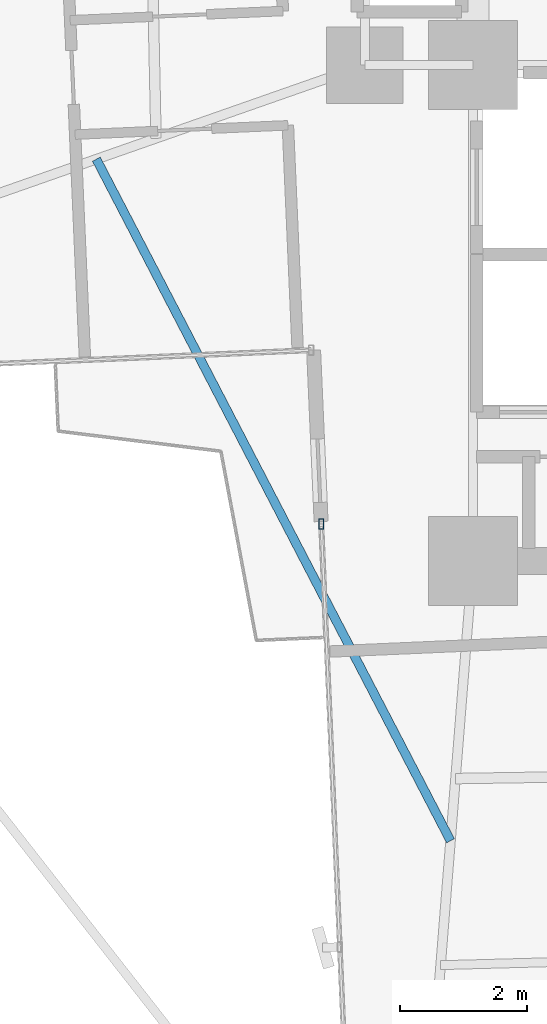
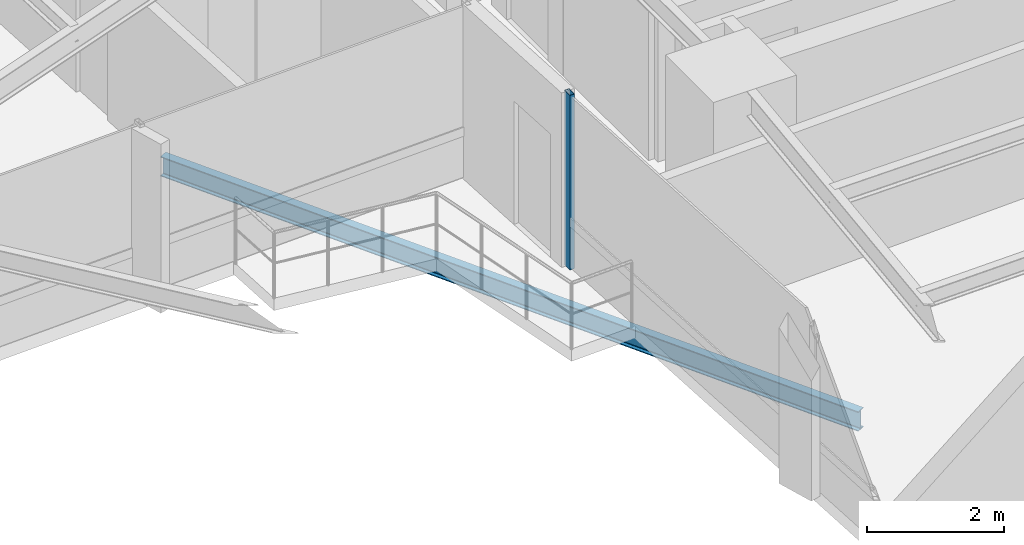
# One storey, part 5 of 26: 1 beam, 1 member, 1 element without a shape of its own.
"""IFC4 building model written with IfcOpenShell, lengths in metres."""

from ifc_helpers import new_model, si_unit, direction, frame, origin, origin_2d, place, context, subcontext, project, spatial, hollow_rectangle, i_section, extrude, source, transform, mapped, material, material_profile, profile_set, type_object, element, aggregate, save


model = new_model("IFC4")

# Units and contexts
model_context = context("Model", 3, precision=1e-05, world=origin(), true_north=direction((0.0, 1.0)))
body_context = subcontext(model_context, "Body", "Model", "MODEL_VIEW")
ifc_project = project(units=[si_unit("LENGTHUNIT", "METRE"), si_unit("AREAUNIT", "SQUARE_METRE"), si_unit("VOLUMEUNIT", "CUBIC_METRE"), si_unit("PLANEANGLEUNIT", "RADIAN"), si_unit("MASSUNIT", "GRAM", prefix="KILO")], contexts=[model_context])

# Site, building, storey
site_placement = place(None, origin())
site = spatial("IfcSite", under=ifc_project, at=site_placement, CompositionType="ELEMENT")
building_placement = place(site_placement, origin())
building = spatial("IfcBuilding", under=site, at=building_placement, Name="Sahyath Konkavel Grand Hotel", CompositionType="ELEMENT")
storey_placement = place(building_placement, frame((0.0, 0.0, 96.89990234375)))
storey = spatial("IfcBuildingStorey", under=building, at=storey_placement, Name="L26", CompositionType="ELEMENT", Elevation=96.89990234375)

# Curtain wall, member
ifc_material_1 = material(Name="Anodised Bronze Aluminium & Low-E Glazing", Category="aluminium")
curtain_wall_type = type_object("IfcCurtainWallType", Name="CW-ZONE2", PredefinedType="NOTDEFINED", material=ifc_material_1)
curtain_wall_placement = place(storey_placement, origin())
curtain_wall = element("IfcCurtainWall", 1, at=curtain_wall_placement, inside=storey, type_object=curtain_wall_type, Name="L26 Unitised Curtain Wall F24", PredefinedType="NOTDEFINED")
ifc_material_2 = material(Name="Anodised Bronze Aluminium", Category="aluminium")
ifc_material_profile_1 = material_profile(ifc_material_2, hollow_rectangle(XDim=0.080078125, YDim=0.159912109375, WallThickness=0.006103515625, at=origin_2d()), Name="RHS 160x80x6")
ifc_profile_set_1 = profile_set([ifc_material_profile_1], Name="Anodised Bronze Aluminium")
member_type = type_object("IfcMemberType", Name="CW-MUL-160", PredefinedType="MULLION", material=ifc_profile_set_1)
shared_shape_1 = source(origin(), body_context, "Body", "SweptSolid", [
    extrude(hollow_rectangle(XDim=0.080078125, YDim=0.159912109375, WallThickness=0.006103515625, at=origin_2d()), origin(), (0.0, 0.0, 1.0), 3.110107421875),
])
member_placement = place(storey_placement, frame((-6.186279296875, -9.618896484375, 0.0), z_axis=(0.0, 0.0, 1.0), x_axis=(1.0, 0.0, 0.0)))
member = element("IfcMember", 2, at=member_placement, type_object=member_type, Name="L26 Curtain Wall Mullion F24-0", PredefinedType="MULLION", context=body_context, shape_type="MappedRepresentation", body=[
    mapped(shared_shape_1, transform((0.0, 0.0, 0.0), scale=1.0)),
])
aggregate(curtain_wall, [member])

# Beam
ifc_material_3 = material(Name="Steel E350", Category="steel")
ifc_material_profile_2 = material_profile(ifc_material_3, i_section(OverallWidth=0.139892578125, OverallDepth=0.35009765625, WebThickness=0.008056640625, FlangeThickness=0.01416015625, FilletRadius=0.013916015625, at=origin_2d()), Name="ISMB 350")
ifc_profile_set_2 = profile_set([ifc_material_profile_2], Name="Steel E350")
beam_type = type_object("IfcBeamType", Name="BM-BALC-CANT", PredefinedType="BEAM", material=ifc_profile_set_2)
shared_shape_2 = source(origin(), body_context, "Body", "SweptSolid", [
    extrude(i_section(OverallWidth=0.139892578125, OverallDepth=0.35009765625, WebThickness=0.008056640625, FlangeThickness=0.01416015625, FilletRadius=0.013916015625, at=origin_2d()), origin(), (0.0, 0.0, 1.0), 12.085205078125),
])
beam_placement = place(storey_placement, frame((-9.7236328125, -3.87890625, -0.414794921875), z_axis=(0.461082384626, -0.887357331962, 0.0), x_axis=(0.887357331962, 0.461082384626, 0.0)))
element("IfcBeam", 3, at=beam_placement, inside=storey, type_object=beam_type, Name="L26 Balcony Cantilever Support Beam SW", PredefinedType="BEAM", context=body_context, shape_type="MappedRepresentation", body=[
    mapped(shared_shape_2, transform((0.0, 0.0, 0.0), scale=1.0)),
])

save(model, "model.ifc")
